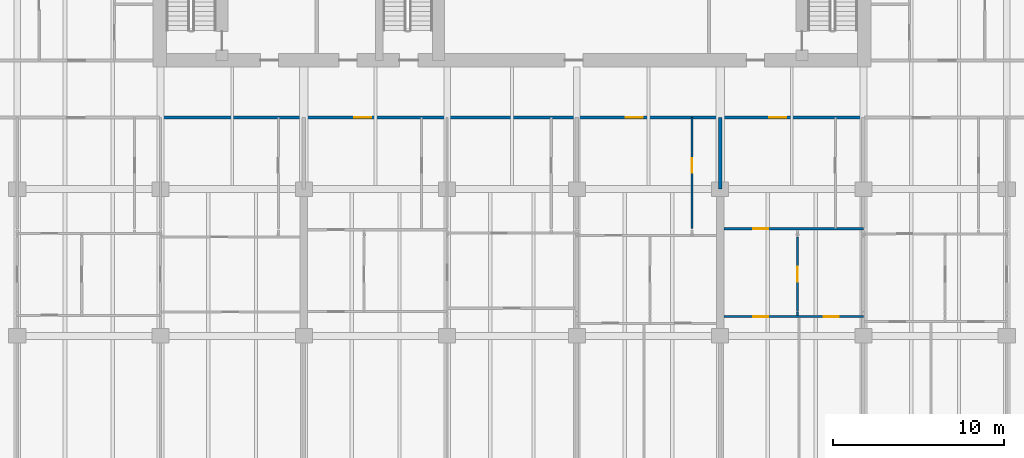
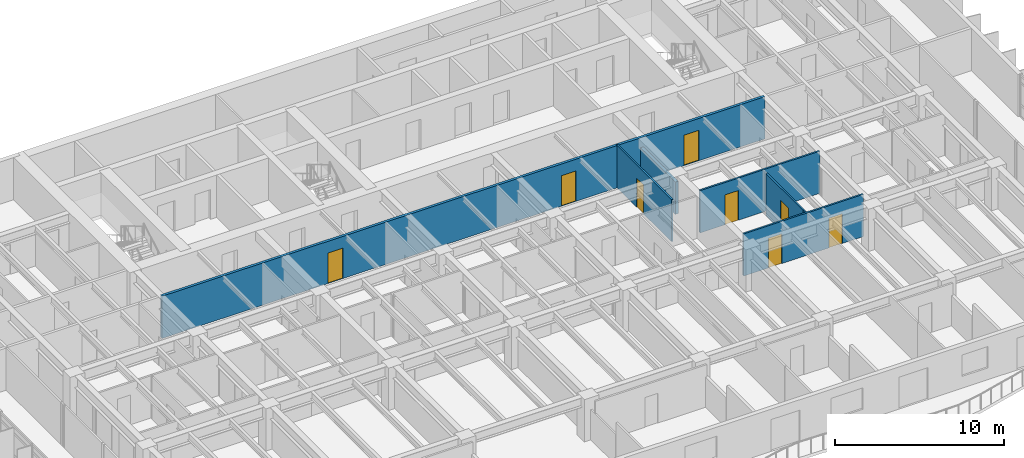
# One storey, part 10 of 20: 8 doors, 7 walls, 8 openings.
"""IFC4 building model written with IfcOpenShell, lengths in metres."""

from ifc_helpers import new_model, si_unit, direction, frame, frame_2d, origin, place, context, subcontext, project, spatial, rectangle, extrude, material, layer, layer_set, type_object, element, fill, save


model = new_model("IFC4")

# Units and contexts
model_context = context("Model", 3, precision=1e-05, world=origin(), true_north=direction((0.0, 1.0)))
body_context = subcontext(model_context, "Body", "Model", "MODEL_VIEW")
ifc_project = project(units=[si_unit("LENGTHUNIT", "METRE"), si_unit("AREAUNIT", "SQUARE_METRE"), si_unit("VOLUMEUNIT", "CUBIC_METRE"), si_unit("PLANEANGLEUNIT", "RADIAN"), si_unit("MASSUNIT", "GRAM", prefix="KILO")], contexts=[model_context])

# Site, building, storey
site_placement = place(None, origin())
site = spatial("IfcSite", under=ifc_project, at=site_placement, CompositionType="ELEMENT")
building_placement = place(site_placement, origin())
building = spatial("IfcBuilding", under=site, at=building_placement, Name="Caelmar Bay Residences", CompositionType="ELEMENT")
storey_placement = place(building_placement, frame((0.0, 0.0, 119.10009765625)))
storey = spatial("IfcBuildingStorey", under=building, at=storey_placement, Name="L32", CompositionType="ELEMENT", Elevation=119.10009765625)

# Wall, openings, doors
ifc_material_1 = material(Name="Double-stud acoustic fire-rated gypsum partition 180 mm")
ifc_layer_1 = layer(ifc_material_1, 0.179931640625)
ifc_layer_set_1 = layer_set([ifc_layer_1], Name="Double-stud acoustic fire-rated gypsum partition 180 mm")
wall_type_1 = type_object("IfcWallType", Name="W-COR-200", PredefinedType="PARTITIONING", material=ifc_layer_set_1)
wall_1_placement = place(storey_placement, frame((18.300048828125, 33.60009765625, 0.0), z_axis=(0.0, 0.0, 1.0), x_axis=(1.0, 0.0, 0.0)))
wall_1 = element("IfcWall", 1, at=wall_1_placement, inside=storey, type_object=wall_type_1, Name="L32 Partition Wall H145", PredefinedType="PARTITIONING", context=body_context, shape_type="SweptSolid", body=[
    extrude(rectangle(XDim=41.199951171875, YDim=0.179931640625, at=frame_2d((20.60009765625, 0.0))), origin(), (0.0, 0.0, 1.0), 3.0498046875),
])
opening_1_placement = place(wall_1_placement, frame((11.35009765625, 0.0, 0.0)))
opening_1 = element("IfcOpeningElement", 2, at=opening_1_placement, cuts=wall_1, Name="Opening D-L32-133", PredefinedType="OPENING", context=body_context, shape_type="SweptSolid", body=[
    extrude(rectangle(XDim=1.0, YDim=2.199951171875, at=frame_2d((0.5, 1.10009765625))), frame((0.0, 0.099853515625, 0.0), z_axis=(0.0, -1.0, 0.0), x_axis=(1.0, 0.0, 0.0)), (0.0, 0.0, 1.0), 0.199951171875),
])
opening_2_placement = place(wall_1_placement, frame((27.27490234375, 0.0, 0.0)))
opening_2 = element("IfcOpeningElement", 3, at=opening_2_placement, cuts=wall_1, Name="Opening D-L32-143", PredefinedType="OPENING", context=body_context, shape_type="SweptSolid", body=[
    extrude(rectangle(XDim=1.0, YDim=2.199951171875, at=frame_2d((0.5, 1.10009765625))), frame((0.0, 0.099853515625, 0.0), z_axis=(0.0, -1.0, 0.0), x_axis=(1.0, 0.0, 0.0)), (0.0, 0.0, 1.0), 0.199951171875),
])
opening_3_placement = place(wall_1_placement, frame((35.675048828125, 0.0, 0.0)))
opening_3 = element("IfcOpeningElement", 4, at=opening_3_placement, cuts=wall_1, Name="Opening D-L32-150", PredefinedType="OPENING", context=body_context, shape_type="SweptSolid", body=[
    extrude(rectangle(XDim=1.0, YDim=2.199951171875, at=frame_2d((0.5, 1.10009765625))), frame((0.0, 0.099853515625, 0.0), z_axis=(0.0, -1.0, 0.0), x_axis=(1.0, 0.0, 0.0)), (0.0, 0.0, 1.0), 0.199951171875),
])
ifc_material_2 = material(Name="Fire-rated steel and walnut architectural door assembly", Category="steel")
ifc_layer_2 = layer(ifc_material_2, 0.050048828125)
ifc_layer_set_2 = layer_set([ifc_layer_2], Name="Fire-rated steel and walnut architectural door assembly")
door_type_1 = type_object("IfcDoorType", Name="D-UNIT-1000", OperationType="NOTDEFINED", PredefinedType="DOOR", material=ifc_layer_set_2)
door_1_placement = place(opening_1_placement, origin())
door_1 = element("IfcDoor", 5, at=door_1_placement, inside=storey, type_object=door_type_1, Name="L32 Residence 02 Apartment Hall Door", OperationType="SINGLE_SWING_LEFT", OverallHeight=2.199951171875, OverallWidth=1.0, PredefinedType="DOOR", context=body_context, shape_type="SweptSolid", body=[
    extrude(rectangle(XDim=1.0, YDim=2.199951171875, at=frame_2d((0.5, 1.10009765625))), frame((0.0, 0.02490234375, 0.0), z_axis=(0.0, -1.0, 0.0), x_axis=(1.0, 0.0, 0.0)), (0.0, 0.0, 1.0), 0.050048828125),
])
fill(opening_1, door_1)
door_2_placement = place(opening_2_placement, origin())
door_2 = element("IfcDoor", 6, at=door_2_placement, inside=storey, type_object=door_type_1, Name="L32 Residence 03 Apartment Hall Door", OperationType="SINGLE_SWING_LEFT", OverallHeight=2.199951171875, OverallWidth=1.0, PredefinedType="DOOR", context=body_context, shape_type="SweptSolid", body=[
    extrude(rectangle(XDim=1.0, YDim=2.199951171875, at=frame_2d((0.5, 1.10009765625))), frame((0.0, 0.02490234375, 0.0), z_axis=(0.0, -1.0, 0.0), x_axis=(1.0, 0.0, 0.0)), (0.0, 0.0, 1.0), 0.050048828125),
])
fill(opening_2, door_2)
door_3_placement = place(opening_3_placement, origin())
door_3 = element("IfcDoor", 7, at=door_3_placement, inside=storey, type_object=door_type_1, Name="L32 Residence 04 Apartment Hall Door", OperationType="SINGLE_SWING_RIGHT", OverallHeight=2.199951171875, OverallWidth=1.0, PredefinedType="DOOR", context=body_context, shape_type="SweptSolid", body=[
    extrude(rectangle(XDim=1.0, YDim=2.199951171875, at=frame_2d((0.5, 1.10009765625))), frame((0.0, 0.02490234375, 0.0), z_axis=(0.0, -1.0, 0.0), x_axis=(1.0, 0.0, 0.0)), (0.0, 0.0, 1.0), 0.050048828125),
])
fill(opening_3, door_3)

# Wall, opening, door
ifc_material_3 = material(Name="Acoustic metal-stud gypsum partition 120 mm")
ifc_layer_3 = layer(ifc_material_3, 0.1201171875)
ifc_layer_set_3 = layer_set([ifc_layer_3], Name="Acoustic metal-stud gypsum partition 120 mm")
wall_type_2 = type_object("IfcWallType", Name="W-PRT-120", PredefinedType="PARTITIONING", material=ifc_layer_set_3)
wall_2_placement = place(storey_placement, frame((49.449951171875, 27.080078125, 0.0), z_axis=(0.0, 0.0, 1.0), x_axis=(0.0, 1.0, 0.0)))
wall_2 = element("IfcWall", 8, at=wall_2_placement, inside=storey, type_object=wall_type_2, Name="L32 Partition Wall V075", PredefinedType="PARTITIONING", context=body_context, shape_type="SweptSolid", body=[
    extrude(rectangle(XDim=6.52001953125, YDim=0.1201171875, at=frame_2d((3.260009765625, 0.0))), origin(), (0.0, 0.0, 1.0), 3.0498046875),
])
opening_4_placement = place(wall_2_placement, frame((3.284912109375, 0.0, 0.0)))
opening_4 = element("IfcOpeningElement", 9, at=opening_4_placement, cuts=wall_2, Name="Opening D-L32-144", PredefinedType="OPENING", context=body_context, shape_type="SweptSolid", body=[
    extrude(rectangle(XDim=0.85009765625, YDim=2.10009765625, at=frame_2d((0.425048828125, 1.050048828125))), frame((0.0, 0.070068359375, 0.0), z_axis=(0.0, -1.0, 0.0), x_axis=(1.0, 0.0, 0.0)), (0.0, 0.0, 1.0), 0.14013671875),
])
ifc_material_4 = material(Name="Solid walnut timber interior door leaf and frame", Category="wood")
ifc_layer_4 = layer(ifc_material_4, 0.050048828125)
ifc_layer_set_4 = layer_set([ifc_layer_4], Name="Solid walnut timber interior door leaf and frame")
door_type_2 = type_object("IfcDoorType", Name="D-BATH-850", OperationType="NOTDEFINED", PredefinedType="DOOR", material=ifc_layer_set_4)
door_4_placement = place(opening_4_placement, origin())
door_4 = element("IfcDoor", 10, at=door_4_placement, inside=storey, type_object=door_type_2, Name="L32 Residence 03 Bathroom Door", OperationType="SINGLE_SWING_RIGHT", OverallHeight=2.10009765625, OverallWidth=0.85009765625, PredefinedType="DOOR", context=body_context, shape_type="SweptSolid", body=[
    extrude(rectangle(XDim=0.85009765625, YDim=2.10009765625, at=frame_2d((0.425048828125, 1.050048828125))), frame((0.0, 0.02490234375, 0.0), z_axis=(0.0, -1.0, 0.0), x_axis=(1.0, 0.0, 0.0)), (0.0, 0.0, 1.0), 0.050048828125),
])
fill(opening_4, door_4)

# Wall
wall_3_placement = place(storey_placement, frame((55.635986328125, 22.0, 0.0), z_axis=(0.0, 0.0, 1.0), x_axis=(0.0, 1.0, 0.0)))
element("IfcWall", 11, at=wall_3_placement, inside=storey, type_object=wall_type_2, Name="L32 Partition Wall V083", PredefinedType="PARTITIONING", context=body_context, shape_type="SweptSolid", body=[
    extrude(rectangle(XDim=0.199951171875, YDim=0.1201171875, at=frame_2d((0.10009765625, 0.0))), origin(), (0.0, 0.0, 1.0), 3.0498046875),
])

# Wall, opening, door
wall_4_placement = place(storey_placement, frame((55.635986328125, 22.219970703125, 0.0), z_axis=(0.0, 0.0, 1.0), x_axis=(0.0, 1.0, 0.0)))
wall_4 = element("IfcWall", 12, at=wall_4_placement, inside=storey, type_object=wall_type_2, Name="L32 Partition Wall V084", PredefinedType="PARTITIONING", context=body_context, shape_type="SweptSolid", body=[
    extrude(rectangle(XDim=4.380126953125, YDim=0.1201171875, at=frame_2d((2.18994140625, 0.0))), origin(), (0.0, 0.0, 1.0), 3.0498046875),
])
opening_5_placement = place(wall_4_placement, frame((1.739990234375, 0.0, 0.0)))
opening_5 = element("IfcOpeningElement", 13, at=opening_5_placement, cuts=wall_4, Name="Opening D-L32-153", PredefinedType="OPENING", context=body_context, shape_type="SweptSolid", body=[
    extrude(rectangle(XDim=0.89990234375, YDim=2.14990234375, at=frame_2d((0.449951171875, 1.074951171875))), frame((0.0, 0.070068359375, 0.0), z_axis=(0.0, -1.0, 0.0), x_axis=(1.0, 0.0, 0.0)), (0.0, 0.0, 1.0), 0.14013671875),
])
ifc_layer_5 = layer(ifc_material_4, 0.050048828125)
ifc_layer_set_5 = layer_set([ifc_layer_5], Name="Solid walnut timber interior door leaf and frame")
door_type_3 = type_object("IfcDoorType", Name="D-ROOM-900", OperationType="NOTDEFINED", PredefinedType="DOOR", material=ifc_layer_set_5)
door_5_placement = place(opening_5_placement, origin())
door_5 = element("IfcDoor", 14, at=door_5_placement, inside=storey, type_object=door_type_3, Name="L32 Residence 04 Private Meeting Room Door", OperationType="SINGLE_SWING_LEFT", OverallHeight=2.14990234375, OverallWidth=0.89990234375, PredefinedType="DOOR", context=body_context, shape_type="SweptSolid", body=[
    extrude(rectangle(XDim=0.89990234375, YDim=2.14990234375, at=frame_2d((0.449951171875, 1.074951171875))), frame((0.0, 0.02490234375, 0.0), z_axis=(0.0, -1.0, 0.0), x_axis=(1.0, 0.0, 0.0)), (0.0, 0.0, 1.0), 0.050048828125),
])
fill(opening_5, door_5)

# Wall, openings, doors
wall_5_placement = place(storey_placement, frame((51.320068359375, 21.929931640625, 0.0), z_axis=(0.0, 0.0, 1.0), x_axis=(1.0, 0.0, 0.0)))
wall_5 = element("IfcWall", 15, at=wall_5_placement, inside=storey, type_object=wall_type_2, Name="L32 Partition Wall H131", PredefinedType="PARTITIONING", context=body_context, shape_type="SweptSolid", body=[
    extrude(rectangle(XDim=8.179931640625, YDim=0.1201171875, at=frame_2d((4.08984375, 0.0))), origin(), (0.0, 0.0, 1.0), 3.0498046875),
])
opening_6_placement = place(wall_5_placement, frame((1.7080078125, 0.0, 0.0)))
opening_6 = element("IfcOpeningElement", 16, at=opening_6_placement, cuts=wall_5, Name="Opening D-L32-154", PredefinedType="OPENING", context=body_context, shape_type="SweptSolid", body=[
    extrude(rectangle(XDim=0.89990234375, YDim=2.14990234375, at=frame_2d((0.449951171875, 1.074951171875))), frame((0.0, 0.070068359375, 0.0), z_axis=(0.0, -1.0, 0.0), x_axis=(1.0, 0.0, 0.0)), (0.0, 0.0, 1.0), 0.14013671875),
])
opening_7_placement = place(wall_5_placement, frame((5.840087890625, 0.0, 0.0)))
opening_7 = element("IfcOpeningElement", 17, at=opening_7_placement, cuts=wall_5, Name="Opening D-L32-155", PredefinedType="OPENING", context=body_context, shape_type="SweptSolid", body=[
    extrude(rectangle(XDim=0.89990234375, YDim=2.14990234375, at=frame_2d((0.449951171875, 1.074951171875))), frame((0.0, 0.070068359375, 0.0), z_axis=(0.0, -1.0, 0.0), x_axis=(1.0, 0.0, 0.0)), (0.0, 0.0, 1.0), 0.14013671875),
])
door_6_placement = place(opening_6_placement, origin())
door_6 = element("IfcDoor", 18, at=door_6_placement, inside=storey, type_object=door_type_3, Name="L32 Residence 04 Living Room Door", OperationType="SINGLE_SWING_RIGHT", OverallHeight=2.14990234375, OverallWidth=0.89990234375, PredefinedType="DOOR", context=body_context, shape_type="SweptSolid", body=[
    extrude(rectangle(XDim=0.89990234375, YDim=2.14990234375, at=frame_2d((0.449951171875, 1.074951171875))), frame((0.0, 0.02490234375, 0.0), z_axis=(0.0, -1.0, 0.0), x_axis=(1.0, 0.0, 0.0)), (0.0, 0.0, 1.0), 0.050048828125),
])
fill(opening_6, door_6)
door_7_placement = place(opening_7_placement, origin())
door_7 = element("IfcDoor", 19, at=door_7_placement, inside=storey, type_object=door_type_3, Name="L32 Residence 04 Penthouse Sitting Room Door", OperationType="SINGLE_SWING_LEFT", OverallHeight=2.14990234375, OverallWidth=0.89990234375, PredefinedType="DOOR", context=body_context, shape_type="SweptSolid", body=[
    extrude(rectangle(XDim=0.89990234375, YDim=2.14990234375, at=frame_2d((0.449951171875, 1.074951171875))), frame((0.0, 0.02490234375, 0.0), z_axis=(0.0, -1.0, 0.0), x_axis=(1.0, 0.0, 0.0)), (0.0, 0.0, 1.0), 0.050048828125),
])
fill(opening_7, door_7)

# Wall, opening, door
wall_6_placement = place(storey_placement, frame((51.320068359375, 27.080078125, 0.0), z_axis=(0.0, 0.0, 1.0), x_axis=(1.0, 0.0, 0.0)))
wall_6 = element("IfcWall", 20, at=wall_6_placement, inside=storey, type_object=wall_type_2, Name="L32 Partition Wall H142", PredefinedType="PARTITIONING", context=body_context, shape_type="SweptSolid", body=[
    extrude(rectangle(XDim=8.179931640625, YDim=0.1201171875, at=frame_2d((4.08984375, 0.0))), origin(), (0.0, 0.0, 1.0), 3.0498046875),
])
opening_8_placement = place(wall_6_placement, frame((1.7080078125, 0.0, 0.0)))
opening_8 = element("IfcOpeningElement", 21, at=opening_8_placement, cuts=wall_6, Name="Opening D-L32-152", PredefinedType="OPENING", context=body_context, shape_type="SweptSolid", body=[
    extrude(rectangle(XDim=0.89990234375, YDim=2.14990234375, at=frame_2d((0.449951171875, 1.074951171875))), frame((0.0, 0.070068359375, 0.0), z_axis=(0.0, -1.0, 0.0), x_axis=(1.0, 0.0, 0.0)), (0.0, 0.0, 1.0), 0.14013671875),
])
door_8_placement = place(opening_8_placement, origin())
door_8 = element("IfcDoor", 22, at=door_8_placement, inside=storey, type_object=door_type_3, Name="L32 Residence 04 Kitchen Door", OperationType="SINGLE_SWING_RIGHT", OverallHeight=2.14990234375, OverallWidth=0.89990234375, PredefinedType="DOOR", context=body_context, shape_type="SweptSolid", body=[
    extrude(rectangle(XDim=0.89990234375, YDim=2.14990234375, at=frame_2d((0.449951171875, 1.074951171875))), frame((0.0, 0.02490234375, 0.0), z_axis=(0.0, -1.0, 0.0), x_axis=(1.0, 0.0, 0.0)), (0.0, 0.0, 1.0), 0.050048828125),
])
fill(opening_8, door_8)

# Wall
ifc_material_5 = material(Name="Acoustic twin-stud fire-rated inter-tenancy partition 200 mm")
ifc_layer_6 = layer(ifc_material_5, 0.199951171875)
ifc_layer_set_6 = layer_set([ifc_layer_6], Name="Acoustic twin-stud fire-rated inter-tenancy partition 200 mm")
wall_type_3 = type_object("IfcWallType", Name="W-PTY-200", PredefinedType="PARTITIONING", material=ifc_layer_set_6)
wall_7_placement = place(storey_placement, frame((51.10009765625, 29.405029296875, 0.0), z_axis=(0.0, 0.0, 1.0), x_axis=(0.0, 1.0, 0.0)))
element("IfcWall", 23, at=wall_7_placement, inside=storey, type_object=wall_type_3, Name="L32 Partition Wall V081", PredefinedType="PARTITIONING", context=body_context, shape_type="SweptSolid", body=[
    extrude(rectangle(XDim=4.195068359375, YDim=0.199951171875, at=frame_2d((2.09765625, 0.0))), origin(), (0.0, 0.0, 1.0), 2.3349609375),
])

save(model, "model.ifc")
